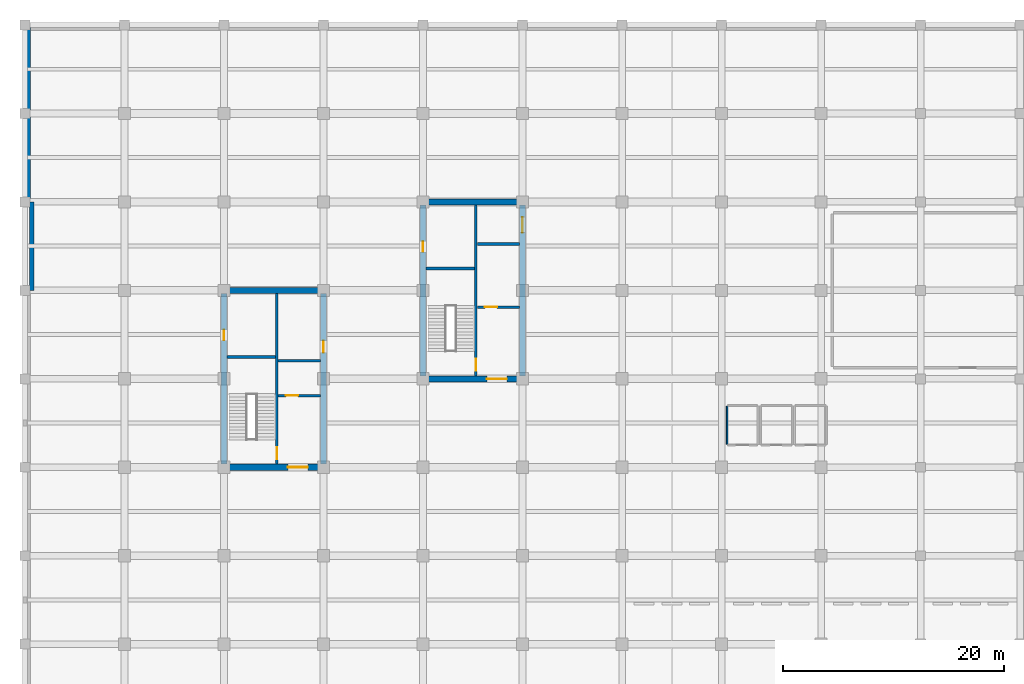
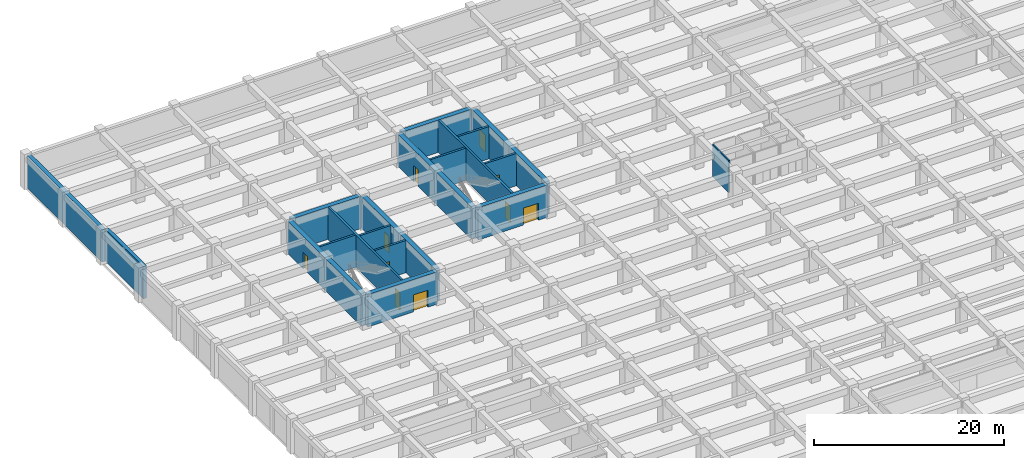
# One storey, part 13 of 26: 19 walls, 10 doors, 10 openings.
"""IFC4 building model written with IfcOpenShell, lengths in metres."""

import ifcopenshell
import ifcopenshell.guid

model = None  # the IFC model being written
_history = None  # IfcOwnerHistory: only IFC2X3 demands one
_inside = {}  # id of a spatial element -> (the spatial element, [elements in it])
_under = {}  # id of a project, library or spatial element -> (it, [spatial elements below it])
_declared = {}  # id of a project -> (the project, [libraries it declares])
_typed = {}  # id of a type object -> (the type object, [elements of that type])
_made_of = {}  # id of a material, layer set ... -> (it, [elements and type objects made of it])


def new_model(schema):
    """Start an empty IFC model of exactly this schema.

    Asked for "IFC4X3", IfcOpenShell would pick the latest addendum, in which some entities
    have other attributes; the version numbers below select the first issue.
    IFC2X3 requires an IfcOwnerHistory on every rooted entity: one is made here for all.
    """
    global model, _history
    if schema == "IFC4X3":
        model = ifcopenshell.file(schema_version=(4, 3, 0, 0))
    else:
        model = ifcopenshell.file(schema=schema)
    _inside.clear()
    _under.clear()
    _declared.clear()
    _typed.clear()
    _made_of.clear()
    _history = None
    if model.schema == "IFC2X3":
        org = make("IfcOrganization", Name="unknown")
        user = make(
            "IfcPersonAndOrganization",
            ThePerson=make("IfcPerson", FamilyName="unknown"),
            TheOrganization=org,
        )
        app = make(
            "IfcApplication",
            ApplicationDeveloper=org,
            Version="unknown",
            ApplicationFullName="unknown",
            ApplicationIdentifier="unknown",
        )
        _history = make(
            "IfcOwnerHistory",
            OwningUser=user,
            OwningApplication=app,
            ChangeAction="ADDED",
            CreationDate=0,
        )
    return model


def make(cls, **values):
    """One entity of the class cls with the attributes given. An attribute that is None is left unset."""
    return model.create_entity(
        cls, **{name: value for name, value in values.items() if value is not None}
    )


def rooted(cls, **values):
    """An entity with a GlobalId (a new one), such as an element, a storey or a relation."""
    return make(cls, GlobalId=ifcopenshell.guid.new(), OwnerHistory=_history, **values)


def si_unit(unit_type, name, prefix=None):
    """IfcSIUnit, for example si_unit("LENGTHUNIT", "METRE", prefix="MILLI")."""
    return make("IfcSIUnit", UnitType=unit_type, Prefix=prefix, Name=name)


def assignment(units):
    """IfcUnitAssignment: the units of a project."""
    return None if units is None else make("IfcUnitAssignment", Units=units)


def point(xyz):
    """IfcCartesianPoint."""
    return None if xyz is None else make("IfcCartesianPoint", Coordinates=xyz)


def direction(xyz):
    """IfcDirection."""
    return None if xyz is None else make("IfcDirection", DirectionRatios=xyz)


def frame(location, z_axis=None, x_axis=None):
    """IfcAxis2Placement3D, a coordinate frame: its origin and axes. An axis left out is left unset."""
    return make(
        "IfcAxis2Placement3D",
        Location=point(location),
        Axis=direction(z_axis),
        RefDirection=direction(x_axis),
    )


def frame_2d(location, x_axis=None):
    """IfcAxis2Placement2D, a coordinate frame in the plane: its origin and x axis."""
    return make(
        "IfcAxis2Placement2D", Location=point(location), RefDirection=direction(x_axis)
    )


def origin():
    """The frame at (0, 0, 0) with its axes left unset."""
    return frame((0.0, 0.0, 0.0))


def place(relative_to, where):
    """IfcLocalPlacement: puts the frame where relative to a parent placement (None: the world)."""
    return make(
        "IfcLocalPlacement", PlacementRelTo=relative_to, RelativePlacement=where
    )


def context(
    kind, dimensions, precision=None, world=None, true_north=None, identifier=None
):
    """IfcGeometricRepresentationContext, for example the 3D "Model" context."""
    return make(
        "IfcGeometricRepresentationContext",
        ContextIdentifier=identifier,
        ContextType=kind,
        CoordinateSpaceDimension=dimensions,
        Precision=precision,
        WorldCoordinateSystem=world,
        TrueNorth=true_north,
    )


def subcontext(parent, identifier, kind, view, scale=None):
    """IfcGeometricRepresentationSubContext, for example "Body" below "Model"."""
    return make(
        "IfcGeometricRepresentationSubContext",
        ContextIdentifier=identifier,
        ContextType=kind,
        ParentContext=parent,
        TargetScale=scale,
        TargetView=view,
    )


def project(units=None, contexts=None):
    """IfcProject with its units and contexts."""
    return rooted(
        "IfcProject",
        Name="project",
        RepresentationContexts=contexts,
        UnitsInContext=assignment(units),
    )


def spatial(cls, under=None, at=None, **own):
    """A site, building, storey or space (cls), placed at a placement, below another one or the project."""
    s = rooted(cls, ObjectPlacement=at, **own)
    if under is not None:
        _under.setdefault(under.id(), (under, []))[1].append(s)
    return s


def profile(cls, at=None, kind="AREA", **sizes):
    """A parametric profile (cls). Its sizes go by their IFC names, for example OverallWidth=200.0."""
    return make(cls, ProfileType=kind, Position=at, **sizes)


def rectangle(**sizes):
    """IfcRectangleProfileDef."""
    return profile("IfcRectangleProfileDef", **sizes)


def extrude(swept, where, along, depth):
    """IfcExtrudedAreaSolid: the profile swept, set in the frame where, extruded along a direction by depth."""
    return make(
        "IfcExtrudedAreaSolid",
        SweptArea=swept,
        Position=where,
        ExtrudedDirection=direction(along),
        Depth=depth,
    )


def shape(context_of_items, identifier, shape_type, items):
    """IfcShapeRepresentation: the items that make up one representation, for example the "Body"."""
    return make(
        "IfcShapeRepresentation",
        ContextOfItems=context_of_items,
        RepresentationIdentifier=identifier,
        RepresentationType=shape_type,
        Items=items,
    )


def material(Name=None, Category=None):
    """IfcMaterial."""
    return make("IfcMaterial", Name=Name, Category=Category)


def layer(
    of_material, thickness, ventilated=None, Name=None, Category=None, Priority=None
):
    """IfcMaterialLayer: one layer of a wall or slab, of a material (None: an air gap)."""
    return make(
        "IfcMaterialLayer",
        Material=of_material,
        LayerThickness=thickness,
        IsVentilated=ventilated,
        Name=Name,
        Category=Category,
        Priority=Priority,
    )


def layer_set(layers, Name=None):
    """IfcMaterialLayerSet."""
    return make("IfcMaterialLayerSet", MaterialLayers=layers, LayerSetName=Name)


def made_of(thing, what):
    """Note that an element or type object is made of a material, layer set ...; save() writes the relation."""
    if what is not None:
        _made_of.setdefault(what.id(), (what, []))[1].append(thing)
    return thing


def type_object(cls, material=None, **own):
    """A type object (cls), such as IfcWallType, which elements share."""
    return made_of(rooted(cls, **own), material)


def element(
    cls,
    number,
    at=None,
    inside=None,
    cuts=None,
    type_object=None,
    material=None,
    context=None,
    identifier="Body",
    shape_type=None,
    held_by="IfcProductDefinitionShape",
    body=None,
    shapes=None,
    **own,
):
    """One element of the class cls, such as IfcWall. Its Tag is "e" and its number.

    at: its placement. inside: the storey or other place that contains it. cuts: it is an
    opening in that element (IfcRelVoidsElement). A single representation is given by context,
    identifier, shape_type and body (its items); several are given by shapes. held_by: the class
    of the entity that holds the representations. save() writes the other relations.
    """
    e = rooted(cls, Tag="e%d" % number, ObjectPlacement=at, **own)
    if body is not None:
        shapes = [shape(context, identifier, shape_type, body)]
    if shapes is not None:
        e.Representation = make(held_by, Representations=shapes)
    if inside is not None:
        _inside.setdefault(inside.id(), (inside, []))[1].append(e)
    if cuts is not None:
        rooted(
            "IfcRelVoidsElement", RelatingBuildingElement=cuts, RelatedOpeningElement=e
        )
    if type_object is not None:
        _typed.setdefault(type_object.id(), (type_object, []))[1].append(e)
    return made_of(e, material)


def fill(opening, filler):
    """IfcRelFillsElement: the door or window that sits in an opening."""
    return rooted(
        "IfcRelFillsElement",
        RelatingOpeningElement=opening,
        RelatedBuildingElement=filler,
    )


def aggregate(whole, parts):
    """IfcRelAggregates: a whole, such as a stair, and the parts it consists of."""
    return rooted("IfcRelAggregates", RelatingObject=whole, RelatedObjects=parts)


def save(model, path):
    """Write the relations noted so far, then the file.

    IfcRelAggregates (storeys below a building ...), IfcRelContainedInSpatialStructure (elements
    in a storey), IfcRelDefinesByType, IfcRelAssociatesMaterial and IfcRelDeclares: one each for
    every whole, place, type object, material and project.
    """
    for whole, parts in _under.values():
        aggregate(whole, parts)
    for where, things in _inside.values():
        rooted(
            "IfcRelContainedInSpatialStructure",
            RelatedElements=things,
            RelatingStructure=where,
        )
    for kind, things in _typed.values():
        rooted("IfcRelDefinesByType", RelatedObjects=things, RelatingType=kind)
    for what, things in _made_of.values():
        rooted("IfcRelAssociatesMaterial", RelatedObjects=things, RelatingMaterial=what)
    for by, libraries in _declared.values():
        rooted("IfcRelDeclares", RelatingContext=by, RelatedDefinitions=libraries)
    model.write(path)


model = new_model("IFC4")

# Units and contexts
model_context = context("Model", 3, precision=1e-05, world=origin(), true_north=direction((0.0, 1.0)))
body_context = subcontext(model_context, "Body", "Model", "MODEL_VIEW")
ifc_project = project(units=[si_unit("LENGTHUNIT", "METRE"), si_unit("AREAUNIT", "SQUARE_METRE"), si_unit("VOLUMEUNIT", "CUBIC_METRE"), si_unit("PLANEANGLEUNIT", "RADIAN"), si_unit("MASSUNIT", "GRAM", prefix="KILO")], contexts=[model_context])

# Site, building, storey
site_placement = place(None, origin())
site = spatial("IfcSite", under=ifc_project, at=site_placement, CompositionType="ELEMENT")
building_placement = place(site_placement, origin())
building = spatial("IfcBuilding", under=site, at=building_placement, Name="Zaverband Oceanarium and Marine Research Institute", CompositionType="ELEMENT")
storey_placement = place(building_placement, frame((0.0, 0.0, -4.5)))
storey = spatial("IfcBuildingStorey", under=building, at=storey_placement, Name="B1", CompositionType="ELEMENT", Elevation=-4.5)

# Wall, opening, door
ifc_material_1 = material(Name="Concrete C50/60", Category="concrete")
ifc_layer_1 = layer(ifc_material_1, 0.550048828125, Name="Concrete C50/60")
ifc_layer_set_1 = layer_set([ifc_layer_1], Name="Concrete C50/60")
wall_type_1 = type_object("IfcWallType", Name="CW-01", PredefinedType="SHEAR", material=ifc_layer_set_1)
wall_1_placement = place(storey_placement, frame((18.27490234375, 80.0, 0.0), z_axis=(0.0, 0.0, 1.0), x_axis=(1.0, 0.0, 0.0)))
wall_1 = element("IfcWall", 1, at=wall_1_placement, inside=storey, type_object=wall_type_1, Name="Structural shear wall CW-01", PredefinedType="SHEAR", context=body_context, shape_type="SweptSolid", body=[
    extrude(rectangle(XDim=8.4501953125, YDim=0.550048828125, at=frame_2d((4.22509765625, 0.0))), origin(), (0.0, 0.0, 1.0), 4.14990234375),
])
opening_1_placement = place(wall_1_placement, frame((5.5, 0.0, 0.0)))
opening_1 = element("IfcOpeningElement", 2, at=opening_1_placement, cuts=wall_1, Name="Opening FD-02", PredefinedType="OPENING", context=body_context, shape_type="SweptSolid", body=[
    extrude(rectangle(XDim=1.800048828125, YDim=2.179931640625, at=frame_2d((0.89990234375, 1.08984375))), frame((0.0, 0.287109375, 0.0), z_axis=(0.0, -1.0, 0.0), x_axis=(1.0, 0.0, 0.0)), (0.0, 0.0, 1.0), 0.573974609375),
])
ifc_material_2 = material(Name="Steel S355", Category="steel")
door_type_1 = type_object("IfcDoorType", Name="FD-02", OperationType="DOUBLE_DOOR_SINGLE_SWING", PredefinedType="DOOR", material=ifc_material_2)
door_1_placement = place(opening_1_placement, origin())
door_1 = element("IfcDoor", 3, at=door_1_placement, inside=storey, type_object=door_type_1, Name="Protected lobby double fire door FD-02", OperationType="DOUBLE_DOOR_SINGLE_SWING", OverallHeight=2.179931640625, OverallWidth=1.800048828125, PredefinedType="DOOR", context=body_context, shape_type="SweptSolid", body=[
    extrude(rectangle(XDim=1.800048828125, YDim=2.179931640625, at=frame_2d((0.89990234375, 1.08984375))), frame((0.0, 0.02490234375, 0.0), z_axis=(0.0, -1.0, 0.0), x_axis=(1.0, 0.0, 0.0)), (0.0, 0.0, 1.0), 0.050048828125),
])
fill(opening_1, door_1)

# Wall
wall_2_placement = place(storey_placement, frame((18.27490234375, 96.0, 0.0), z_axis=(0.0, 0.0, 1.0), x_axis=(1.0, 0.0, 0.0)))
element("IfcWall", 4, at=wall_2_placement, inside=storey, type_object=wall_type_1, Name="Structural shear wall CW-01", PredefinedType="SHEAR", context=body_context, shape_type="SweptSolid", body=[
    extrude(rectangle(XDim=8.4501953125, YDim=0.550048828125, at=frame_2d((4.22509765625, 0.0))), origin(), (0.0, 0.0, 1.0), 4.14990234375),
])

# Wall, opening, door
wall_3_placement = place(storey_placement, frame((18.0, 80.27490234375, 0.0), z_axis=(0.0, 0.0, 1.0), x_axis=(0.0, 1.0, 0.0)))
wall_3 = element("IfcWall", 5, at=wall_3_placement, inside=storey, type_object=wall_type_1, Name="Structural shear wall CW-01", PredefinedType="SHEAR", context=body_context, shape_type="SweptSolid", body=[
    extrude(rectangle(XDim=15.4501953125, YDim=0.550048828125, at=frame_2d((7.72509765625, 0.0))), origin(), (0.0, 0.0, 1.0), 4.14990234375),
])
opening_2_placement = place(wall_3_placement, frame((11.199951171875, 0.0, 0.0)))
opening_2 = element("IfcOpeningElement", 6, at=opening_2_placement, cuts=wall_3, Name="Opening FD-03", PredefinedType="OPENING", context=body_context, shape_type="SweptSolid", body=[
    extrude(rectangle(XDim=0.949951171875, YDim=2.10009765625, at=frame_2d((0.47509765625, 1.050048828125))), frame((0.0, 0.287109375, 0.0), z_axis=(0.0, -1.0, 0.0), x_axis=(1.0, 0.0, 0.0)), (0.0, 0.0, 1.0), 0.573974609375),
])
door_type_2 = type_object("IfcDoorType", Name="FD-03", OperationType="NOTDEFINED", PredefinedType="DOOR", material=ifc_material_2)
door_2_placement = place(opening_2_placement, origin())
door_2 = element("IfcDoor", 7, at=door_2_placement, inside=storey, type_object=door_type_2, Name="Service riser access fire door FD-03", OperationType="SINGLE_SWING_RIGHT", OverallHeight=2.10009765625, OverallWidth=0.949951171875, PredefinedType="DOOR", context=body_context, shape_type="SweptSolid", body=[
    extrude(rectangle(XDim=0.949951171875, YDim=2.10009765625, at=frame_2d((0.47509765625, 1.050048828125))), frame((0.0, 0.02490234375, 0.0), z_axis=(0.0, -1.0, 0.0), x_axis=(1.0, 0.0, 0.0)), (0.0, 0.0, 1.0), 0.050048828125),
])
fill(opening_2, door_2)

wall_4_placement = place(storey_placement, frame((27.0, 80.27490234375, 0.0), z_axis=(0.0, 0.0, 1.0), x_axis=(0.0, 1.0, 0.0)))
wall_4 = element("IfcWall", 8, at=wall_4_placement, inside=storey, type_object=wall_type_1, Name="Structural shear wall CW-01", PredefinedType="SHEAR", context=body_context, shape_type="SweptSolid", body=[
    extrude(rectangle(XDim=15.4501953125, YDim=0.550048828125, at=frame_2d((7.72509765625, 0.0))), origin(), (0.0, 0.0, 1.0), 4.14990234375),
])
opening_3_placement = place(wall_4_placement, frame((10.10009765625, 0.0, 0.0)))
opening_3 = element("IfcOpeningElement", 9, at=opening_3_placement, cuts=wall_4, Name="Opening LD-02", PredefinedType="OPENING", context=body_context, shape_type="SweptSolid", body=[
    extrude(rectangle(XDim=1.050048828125, YDim=2.1201171875, at=frame_2d((0.52490234375, 1.06005859375))), frame((0.0, 0.287109375, 0.0), z_axis=(0.0, -1.0, 0.0), x_axis=(1.0, 0.0, 0.0)), (0.0, 0.0, 1.0), 0.573974609375),
])
door_type_3 = type_object("IfcDoorType", Name="LD-02", OperationType="DOUBLE_DOOR_SLIDING", PredefinedType="DOOR", material=ifc_material_2)
door_3_placement = place(opening_3_placement, origin())
door_3 = element("IfcDoor", 10, at=door_3_placement, inside=storey, type_object=door_type_3, Name="Passenger lift sliding landing door LD-02", OperationType="DOUBLE_DOOR_SLIDING", OverallHeight=2.1201171875, OverallWidth=1.050048828125, PredefinedType="DOOR", context=body_context, shape_type="SweptSolid", body=[
    extrude(rectangle(XDim=1.050048828125, YDim=2.1201171875, at=frame_2d((0.52490234375, 1.06005859375))), frame((0.0, 0.02490234375, 0.0), z_axis=(0.0, -1.0, 0.0), x_axis=(1.0, 0.0, 0.0)), (0.0, 0.0, 1.0), 0.050048828125),
])
fill(opening_3, door_3)

wall_5_placement = place(storey_placement, frame((36.27490234375, 88.0, 0.0), z_axis=(0.0, 0.0, 1.0), x_axis=(1.0, 0.0, 0.0)))
wall_5 = element("IfcWall", 11, at=wall_5_placement, inside=storey, type_object=wall_type_1, Name="Structural shear wall CW-01", PredefinedType="SHEAR", context=body_context, shape_type="SweptSolid", body=[
    extrude(rectangle(XDim=8.4501953125, YDim=0.550048828125, at=frame_2d((4.22509765625, 0.0))), origin(), (0.0, 0.0, 1.0), 4.14990234375),
])
opening_4_placement = place(wall_5_placement, frame((5.5, 0.0, 0.0)))
opening_4 = element("IfcOpeningElement", 12, at=opening_4_placement, cuts=wall_5, Name="Opening FD-02", PredefinedType="OPENING", context=body_context, shape_type="SweptSolid", body=[
    extrude(rectangle(XDim=1.800048828125, YDim=2.179931640625, at=frame_2d((0.89990234375, 1.08984375))), frame((0.0, 0.287109375, 0.0), z_axis=(0.0, -1.0, 0.0), x_axis=(1.0, 0.0, 0.0)), (0.0, 0.0, 1.0), 0.573974609375),
])
door_4_placement = place(opening_4_placement, origin())
door_4 = element("IfcDoor", 13, at=door_4_placement, inside=storey, type_object=door_type_1, Name="Protected lobby double fire door FD-02", OperationType="DOUBLE_DOOR_SINGLE_SWING", OverallHeight=2.179931640625, OverallWidth=1.800048828125, PredefinedType="DOOR", context=body_context, shape_type="SweptSolid", body=[
    extrude(rectangle(XDim=1.800048828125, YDim=2.179931640625, at=frame_2d((0.89990234375, 1.08984375))), frame((0.0, 0.02490234375, 0.0), z_axis=(0.0, -1.0, 0.0), x_axis=(1.0, 0.0, 0.0)), (0.0, 0.0, 1.0), 0.050048828125),
])
fill(opening_4, door_4)

# Wall
wall_6_placement = place(storey_placement, frame((36.27490234375, 104.0, 0.0), z_axis=(0.0, 0.0, 1.0), x_axis=(1.0, 0.0, 0.0)))
element("IfcWall", 14, at=wall_6_placement, inside=storey, type_object=wall_type_1, Name="Structural shear wall CW-01", PredefinedType="SHEAR", context=body_context, shape_type="SweptSolid", body=[
    extrude(rectangle(XDim=8.4501953125, YDim=0.550048828125, at=frame_2d((4.22509765625, 0.0))), origin(), (0.0, 0.0, 1.0), 4.14990234375),
])

# Wall, opening, door
wall_7_placement = place(storey_placement, frame((36.0, 88.27490234375, 0.0), z_axis=(0.0, 0.0, 1.0), x_axis=(0.0, 1.0, 0.0)))
wall_7 = element("IfcWall", 15, at=wall_7_placement, inside=storey, type_object=wall_type_1, Name="Structural shear wall CW-01", PredefinedType="SHEAR", context=body_context, shape_type="SweptSolid", body=[
    extrude(rectangle(XDim=15.4501953125, YDim=0.550048828125, at=frame_2d((7.72509765625, 0.0))), origin(), (0.0, 0.0, 1.0), 4.14990234375),
])
opening_5_placement = place(wall_7_placement, frame((11.199951171875, 0.0, 0.0)))
opening_5 = element("IfcOpeningElement", 16, at=opening_5_placement, cuts=wall_7, Name="Opening FD-03", PredefinedType="OPENING", context=body_context, shape_type="SweptSolid", body=[
    extrude(rectangle(XDim=0.949951171875, YDim=2.10009765625, at=frame_2d((0.47509765625, 1.050048828125))), frame((0.0, 0.287109375, 0.0), z_axis=(0.0, -1.0, 0.0), x_axis=(1.0, 0.0, 0.0)), (0.0, 0.0, 1.0), 0.573974609375),
])
door_5_placement = place(opening_5_placement, origin())
door_5 = element("IfcDoor", 17, at=door_5_placement, inside=storey, type_object=door_type_2, Name="Service riser access fire door FD-03", OperationType="SINGLE_SWING_RIGHT", OverallHeight=2.10009765625, OverallWidth=0.949951171875, PredefinedType="DOOR", context=body_context, shape_type="SweptSolid", body=[
    extrude(rectangle(XDim=0.949951171875, YDim=2.10009765625, at=frame_2d((0.47509765625, 1.050048828125))), frame((0.0, 0.02490234375, 0.0), z_axis=(0.0, -1.0, 0.0), x_axis=(1.0, 0.0, 0.0)), (0.0, 0.0, 1.0), 0.050048828125),
])
fill(opening_5, door_5)

wall_8_placement = place(storey_placement, frame((45.0, 88.27490234375, 0.0), z_axis=(0.0, 0.0, 1.0), x_axis=(0.0, 1.0, 0.0)))
wall_8 = element("IfcWall", 18, at=wall_8_placement, inside=storey, type_object=wall_type_1, Name="Structural shear wall CW-01", PredefinedType="SHEAR", context=body_context, shape_type="SweptSolid", body=[
    extrude(rectangle(XDim=15.4501953125, YDim=0.550048828125, at=frame_2d((7.72509765625, 0.0))), origin(), (0.0, 0.0, 1.0), 4.14990234375),
])
opening_6_placement = place(wall_8_placement, frame((12.949951171875, 0.0, 0.0)))
opening_6 = element("IfcOpeningElement", 19, at=opening_6_placement, cuts=wall_8, Name="Opening LD-03", PredefinedType="OPENING", context=body_context, shape_type="SweptSolid", body=[
    extrude(rectangle(XDim=1.39990234375, YDim=2.199951171875, at=frame_2d((0.699951171875, 1.10009765625))), frame((0.0, 0.287109375, 0.0), z_axis=(0.0, -1.0, 0.0), x_axis=(1.0, 0.0, 0.0)), (0.0, 0.0, 1.0), 0.573974609375),
])
door_type_4 = type_object("IfcDoorType", Name="LD-03", OperationType="DOUBLE_DOOR_SLIDING", PredefinedType="DOOR", material=ifc_material_2)
door_6_placement = place(opening_6_placement, origin())
door_6 = element("IfcDoor", 20, at=door_6_placement, inside=storey, type_object=door_type_4, Name="Specimen goods lift sliding landing door LD-03", OperationType="DOUBLE_DOOR_SLIDING", OverallHeight=2.199951171875, OverallWidth=1.39990234375, PredefinedType="DOOR", context=body_context, shape_type="SweptSolid", body=[
    extrude(rectangle(XDim=1.39990234375, YDim=2.199951171875, at=frame_2d((0.699951171875, 1.10009765625))), frame((0.0, 0.02490234375, 0.0), z_axis=(0.0, -1.0, 0.0), x_axis=(1.0, 0.0, 0.0)), (0.0, 0.0, 1.0), 0.050048828125),
])
fill(opening_6, door_6)

# Wall
ifc_material_3 = material(Name="Ceramic-tiled wet-room blockwork", Category="masonry")
ifc_layer_2 = layer(ifc_material_3, 0.14990234375, Name="Ceramic-tiled wet-room blockwork")
ifc_layer_set_2 = layer_set([ifc_layer_2], Name="Ceramic-tiled wet-room blockwork")
wall_type_2 = type_object("IfcWallType", Name="PT-150-WC", PredefinedType="PARTITIONING", material=ifc_layer_set_2)
wall_9_placement = place(storey_placement, frame((63.5, 82.074951171875, 0.0), z_axis=(0.0, 0.0, 1.0), x_axis=(0.0, 1.0, 0.0)))
element("IfcWall", 21, at=wall_9_placement, inside=storey, type_object=wall_type_2, Name="Internal partition PT-150-WC", PredefinedType="PARTITIONING", context=body_context, shape_type="SweptSolid", body=[
    extrude(rectangle(XDim=3.449951171875, YDim=0.14990234375, at=frame_2d((1.72509765625, 0.0))), origin(), (0.0, 0.0, 1.0), 4.14990234375),
])

# Wall, opening, door
ifc_layer_3 = layer(ifc_material_1, 0.25, Name="Concrete C50/60")
ifc_layer_set_3 = layer_set([ifc_layer_3], Name="Concrete C50/60")
wall_type_3 = type_object("IfcWallType", Name="PW-CORE-250", PredefinedType="SOLIDWALL", material=ifc_layer_set_3)
wall_10_placement = place(storey_placement, frame((22.77490234375, 80.27490234375, 0.0), z_axis=(0.0, 0.0, 1.0), x_axis=(0.0, 1.0, 0.0)))
wall_10 = element("IfcWall", 22, at=wall_10_placement, inside=storey, type_object=wall_type_3, Name="Structural concrete wall PW-CORE-250", PredefinedType="SOLIDWALL", context=body_context, shape_type="SweptSolid", body=[
    extrude(rectangle(XDim=15.4501953125, YDim=0.25, at=frame_2d((7.72509765625, 0.0))), origin(), (0.0, 0.0, 1.0), 4.14990234375),
])
opening_7_placement = place(wall_10_placement, frame((0.449951171875, 0.0, 0.0)))
opening_7 = element("IfcOpeningElement", 23, at=opening_7_placement, cuts=wall_10, Name="Opening FD-01", PredefinedType="OPENING", context=body_context, shape_type="SweptSolid", body=[
    extrude(rectangle(XDim=1.10009765625, YDim=2.14990234375, at=frame_2d((0.550048828125, 1.074951171875))), frame((0.0, 0.136962890625, 0.0), z_axis=(0.0, -1.0, 0.0), x_axis=(1.0, 0.0, 0.0)), (0.0, 0.0, 1.0), 0.27392578125),
])
door_type_5 = type_object("IfcDoorType", Name="FD-01", OperationType="NOTDEFINED", PredefinedType="DOOR", material=ifc_material_2)
door_7_placement = place(opening_7_placement, origin())
door_7 = element("IfcDoor", 24, at=door_7_placement, inside=storey, type_object=door_type_5, Name="Core stair / lobby fire door FD-01", OperationType="SINGLE_SWING_RIGHT", OverallHeight=2.14990234375, OverallWidth=1.10009765625, PredefinedType="DOOR", context=body_context, shape_type="SweptSolid", body=[
    extrude(rectangle(XDim=1.10009765625, YDim=2.14990234375, at=frame_2d((0.550048828125, 1.074951171875))), frame((0.0, 0.02490234375, 0.0), z_axis=(0.0, -1.0, 0.0), x_axis=(1.0, 0.0, 0.0)), (0.0, 0.0, 1.0), 0.050048828125),
])
fill(opening_7, door_7)

# Wall
wall_11_placement = place(storey_placement, frame((18.27490234375, 89.97509765625, 0.0), z_axis=(0.0, 0.0, 1.0), x_axis=(1.0, 0.0, 0.0)))
element("IfcWall", 25, at=wall_11_placement, inside=storey, type_object=wall_type_3, Name="Structural concrete wall PW-CORE-250", PredefinedType="SOLIDWALL", context=body_context, shape_type="SweptSolid", body=[
    extrude(rectangle(XDim=4.3701171875, YDim=0.25, at=frame_2d((2.18505859375, 0.0))), origin(), (0.0, 0.0, 1.0), 4.14990234375),
])

# Wall, opening, door
wall_12_placement = place(storey_placement, frame((22.905029296875, 86.47509765625, 0.0), z_axis=(0.0, 0.0, 1.0), x_axis=(1.0, 0.0, 0.0)))
wall_12 = element("IfcWall", 26, at=wall_12_placement, inside=storey, type_object=wall_type_3, Name="Structural concrete wall PW-CORE-250", PredefinedType="SOLIDWALL", context=body_context, shape_type="SweptSolid", body=[
    extrude(rectangle(XDim=3.820068359375, YDim=0.25, at=frame_2d((1.91015625, 0.0))), origin(), (0.0, 0.0, 1.0), 4.14990234375),
])
opening_8_placement = place(wall_12_placement, frame((0.695068359375, 0.0, 0.0)))
opening_8 = element("IfcOpeningElement", 27, at=opening_8_placement, cuts=wall_12, Name="Opening LD-01", PredefinedType="OPENING", context=body_context, shape_type="SweptSolid", body=[
    extrude(rectangle(XDim=1.10009765625, YDim=2.1201171875, at=frame_2d((0.550048828125, 1.06005859375))), frame((0.0, 0.136962890625, 0.0), z_axis=(0.0, -1.0, 0.0), x_axis=(1.0, 0.0, 0.0)), (0.0, 0.0, 1.0), 0.27392578125),
])
door_type_6 = type_object("IfcDoorType", Name="LD-01", OperationType="DOUBLE_DOOR_SLIDING", PredefinedType="DOOR", material=ifc_material_2)
door_8_placement = place(opening_8_placement, origin())
door_8 = element("IfcDoor", 28, at=door_8_placement, inside=storey, type_object=door_type_6, Name="Firefighting lift sliding landing door LD-01", OperationType="DOUBLE_DOOR_SLIDING", OverallHeight=2.1201171875, OverallWidth=1.10009765625, PredefinedType="DOOR", context=body_context, shape_type="SweptSolid", body=[
    extrude(rectangle(XDim=1.10009765625, YDim=2.1201171875, at=frame_2d((0.550048828125, 1.06005859375))), frame((0.0, 0.02490234375, 0.0), z_axis=(0.0, -1.0, 0.0), x_axis=(1.0, 0.0, 0.0)), (0.0, 0.0, 1.0), 0.050048828125),
])
fill(opening_8, door_8)

# Wall
wall_13_placement = place(storey_placement, frame((22.905029296875, 89.6298828125, 0.0), z_axis=(0.0, 0.0, 1.0), x_axis=(1.0, 0.0, 0.0)))
element("IfcWall", 29, at=wall_13_placement, inside=storey, type_object=wall_type_3, Name="Structural concrete wall PW-CORE-250", PredefinedType="SOLIDWALL", context=body_context, shape_type="SweptSolid", body=[
    extrude(rectangle(XDim=3.820068359375, YDim=0.25, at=frame_2d((1.91015625, 0.0))), origin(), (0.0, 0.0, 1.0), 4.14990234375),
])

# Wall, opening, door
wall_14_placement = place(storey_placement, frame((40.77490234375, 88.27490234375, 0.0), z_axis=(0.0, 0.0, 1.0), x_axis=(0.0, 1.0, 0.0)))
wall_14 = element("IfcWall", 30, at=wall_14_placement, inside=storey, type_object=wall_type_3, Name="Structural concrete wall PW-CORE-250", PredefinedType="SOLIDWALL", context=body_context, shape_type="SweptSolid", body=[
    extrude(rectangle(XDim=15.4501953125, YDim=0.25, at=frame_2d((7.72509765625, 0.0))), origin(), (0.0, 0.0, 1.0), 4.14990234375),
])
opening_9_placement = place(wall_14_placement, frame((0.449951171875, 0.0, 0.0)))
opening_9 = element("IfcOpeningElement", 31, at=opening_9_placement, cuts=wall_14, Name="Opening FD-01", PredefinedType="OPENING", context=body_context, shape_type="SweptSolid", body=[
    extrude(rectangle(XDim=1.10009765625, YDim=2.14990234375, at=frame_2d((0.550048828125, 1.074951171875))), frame((0.0, 0.136962890625, 0.0), z_axis=(0.0, -1.0, 0.0), x_axis=(1.0, 0.0, 0.0)), (0.0, 0.0, 1.0), 0.27392578125),
])
door_9_placement = place(opening_9_placement, origin())
door_9 = element("IfcDoor", 32, at=door_9_placement, inside=storey, type_object=door_type_5, Name="Core stair / lobby fire door FD-01", OperationType="SINGLE_SWING_RIGHT", OverallHeight=2.14990234375, OverallWidth=1.10009765625, PredefinedType="DOOR", context=body_context, shape_type="SweptSolid", body=[
    extrude(rectangle(XDim=1.10009765625, YDim=2.14990234375, at=frame_2d((0.550048828125, 1.074951171875))), frame((0.0, 0.02490234375, 0.0), z_axis=(0.0, -1.0, 0.0), x_axis=(1.0, 0.0, 0.0)), (0.0, 0.0, 1.0), 0.050048828125),
])
fill(opening_9, door_9)

# Wall
wall_15_placement = place(storey_placement, frame((36.27490234375, 97.97509765625, 0.0), z_axis=(0.0, 0.0, 1.0), x_axis=(1.0, 0.0, 0.0)))
element("IfcWall", 33, at=wall_15_placement, inside=storey, type_object=wall_type_3, Name="Structural concrete wall PW-CORE-250", PredefinedType="SOLIDWALL", context=body_context, shape_type="SweptSolid", body=[
    extrude(rectangle(XDim=4.3701171875, YDim=0.25, at=frame_2d((2.18505859375, 0.0))), origin(), (0.0, 0.0, 1.0), 4.14990234375),
])

# Wall, opening, door
wall_16_placement = place(storey_placement, frame((40.905029296875, 94.47509765625, 0.0), z_axis=(0.0, 0.0, 1.0), x_axis=(1.0, 0.0, 0.0)))
wall_16 = element("IfcWall", 34, at=wall_16_placement, inside=storey, type_object=wall_type_3, Name="Structural concrete wall PW-CORE-250", PredefinedType="SOLIDWALL", context=body_context, shape_type="SweptSolid", body=[
    extrude(rectangle(XDim=3.820068359375, YDim=0.25, at=frame_2d((1.91015625, 0.0))), origin(), (0.0, 0.0, 1.0), 4.14990234375),
])
opening_10_placement = place(wall_16_placement, frame((0.695068359375, 0.0, 0.0)))
opening_10 = element("IfcOpeningElement", 35, at=opening_10_placement, cuts=wall_16, Name="Opening LD-01", PredefinedType="OPENING", context=body_context, shape_type="SweptSolid", body=[
    extrude(rectangle(XDim=1.10009765625, YDim=2.1201171875, at=frame_2d((0.550048828125, 1.06005859375))), frame((0.0, 0.136962890625, 0.0), z_axis=(0.0, -1.0, 0.0), x_axis=(1.0, 0.0, 0.0)), (0.0, 0.0, 1.0), 0.27392578125),
])
door_10_placement = place(opening_10_placement, origin())
door_10 = element("IfcDoor", 36, at=door_10_placement, inside=storey, type_object=door_type_6, Name="Firefighting lift sliding landing door LD-01", OperationType="DOUBLE_DOOR_SLIDING", OverallHeight=2.1201171875, OverallWidth=1.10009765625, PredefinedType="DOOR", context=body_context, shape_type="SweptSolid", body=[
    extrude(rectangle(XDim=1.10009765625, YDim=2.1201171875, at=frame_2d((0.550048828125, 1.06005859375))), frame((0.0, 0.02490234375, 0.0), z_axis=(0.0, -1.0, 0.0), x_axis=(1.0, 0.0, 0.0)), (0.0, 0.0, 1.0), 0.050048828125),
])
fill(opening_10, door_10)

# Walls
wall_17_placement = place(storey_placement, frame((40.905029296875, 100.179931640625, 0.0), z_axis=(0.0, 0.0, 1.0), x_axis=(1.0, 0.0, 0.0)))
element("IfcWall", 37, at=wall_17_placement, inside=storey, type_object=wall_type_3, Name="Structural concrete wall PW-CORE-250", PredefinedType="SOLIDWALL", context=body_context, shape_type="SweptSolid", body=[
    extrude(rectangle(XDim=3.820068359375, YDim=0.25, at=frame_2d((1.91015625, 0.0))), origin(), (0.0, 0.0, 1.0), 4.14990234375),
])
ifc_material_4 = material(Name="Concrete C45/55", Category="concrete")
ifc_layer_4 = layer(ifc_material_4, 0.47998046875, Name="Concrete C45/55")
ifc_layer_set_4 = layer_set([ifc_layer_4], Name="Concrete C45/55")
wall_type_4 = type_object("IfcWallType", Name="RW-01", PredefinedType="SHEAR", material=ifc_layer_set_4)
wall_18_placement = place(storey_placement, frame((0.25, 119.75, 0.0), z_axis=(0.0, 0.0, 1.0), x_axis=(0.0, -1.0, 0.0)))
element("IfcWall", 38, at=wall_18_placement, inside=storey, type_object=wall_type_4, Name="Basement retaining wall RW-01", PredefinedType="SHEAR", context=body_context, shape_type="SweptSolid", body=[
    extrude(rectangle(XDim=15.75, YDim=0.47998046875, at=frame_2d((7.875, 0.0))), origin(), (0.0, 0.0, 1.0), 4.14990234375),
])
ifc_layer_5 = layer(ifc_material_1, 0.419921875, Name="Concrete C50/60")
ifc_layer_set_5 = layer_set([ifc_layer_5], Name="Concrete C50/60")
wall_type_5 = type_object("IfcWallType", Name="SW-01", PredefinedType="SHEAR", material=ifc_layer_set_5)
wall_19_placement = place(storey_placement, frame((0.60009765625, 96.0, 0.0), z_axis=(0.0, 0.0, 1.0), x_axis=(0.0, 1.0, 0.0)))
element("IfcWall", 39, at=wall_19_placement, inside=storey, type_object=wall_type_5, Name="Structural shear wall SW-01", PredefinedType="SHEAR", context=body_context, shape_type="SweptSolid", body=[
    extrude(rectangle(XDim=8.0, YDim=0.419921875, at=frame_2d((4.0, 0.0))), origin(), (0.0, 0.0, 1.0), 4.14990234375),
])

save(model, "model.ifc")
